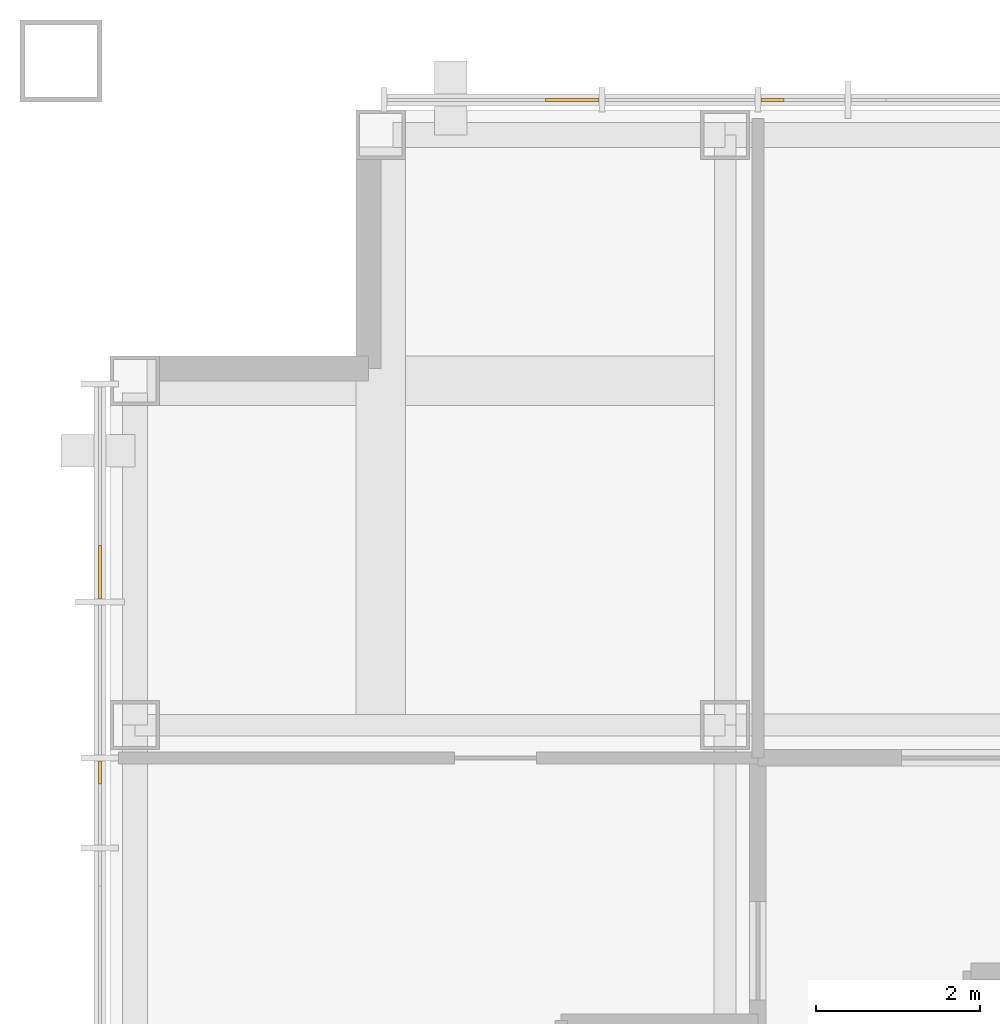
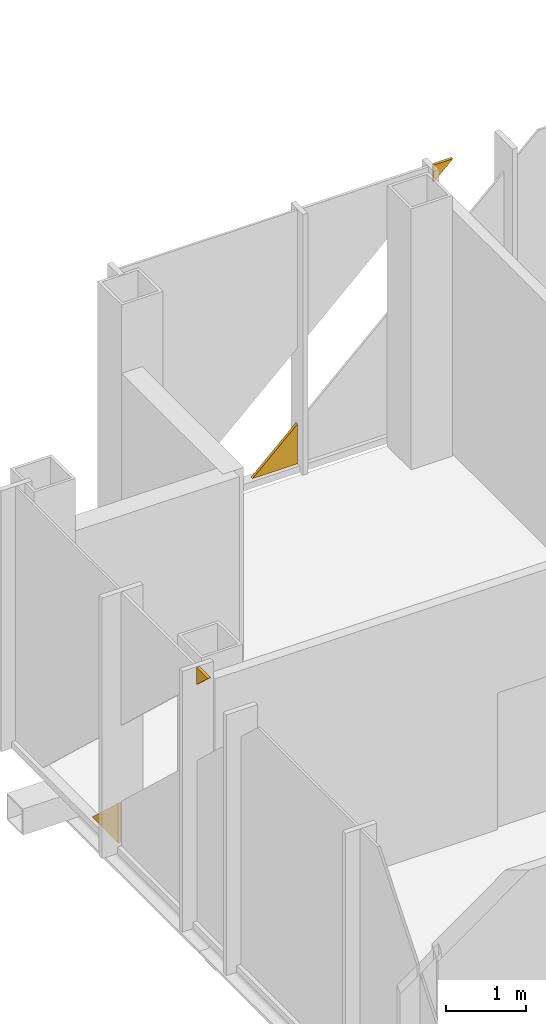
# One storey, part 15 of 16: 4 coverings.
"""IFC4 building model written with IfcOpenShell, lengths in metres."""

from ifc_helpers import new_model, si_unit, direction, frame, origin, place, context, subcontext, project, spatial, polyline, outline, extrude, material, layer, layer_set, type_object, element, save


model = new_model("IFC4")

# Units and contexts
model_context = context("Model", 3, precision=1e-05, world=origin(), true_north=direction((0.0, 1.0)))
body_context = subcontext(model_context, "Body", "Model", "MODEL_VIEW")
ifc_project = project(units=[si_unit("LENGTHUNIT", "METRE"), si_unit("AREAUNIT", "SQUARE_METRE"), si_unit("VOLUMEUNIT", "CUBIC_METRE"), si_unit("PLANEANGLEUNIT", "RADIAN"), si_unit("MASSUNIT", "GRAM", prefix="KILO")], contexts=[model_context])

# Site, building, storey
site_placement = place(None, origin())
site = spatial("IfcSite", under=ifc_project, at=site_placement, CompositionType="ELEMENT")
building_placement = place(site_placement, origin())
building = spatial("IfcBuilding", under=site, at=building_placement, Name="Malebo Sky Hospital", CompositionType="ELEMENT")
storey_placement = place(building_placement, frame((0.0, 0.0, 254.0)))
storey = spatial("IfcBuildingStorey", under=building, at=storey_placement, Name="L61", CompositionType="ELEMENT", Elevation=254.0)

# Coverings
ifc_material = material(Name="Anodised aluminium, natural silver insulated infill panel", Category="aluminium")
ifc_layer = layer(ifc_material, 0.0400390625)
ifc_layer_set = layer_set([ifc_layer], Name="BRACE INFILL PANEL 40")
covering_type = type_object("IfcCoveringType", Name="BRACE INFILL PANEL 40", PredefinedType="CLADDING", material=ifc_layer_set)
covering_1_placement = place(storey_placement, frame((44.6357421875, 83.125, 0.10009765625), z_axis=(0.0, 0.0, 1.0), x_axis=(1.0, 0.0, 0.0)))
element("IfcCovering", 1, at=covering_1_placement, inside=storey, type_object=covering_type, Name="Brace infill panel 1.1", PredefinedType="CLADDING", context=body_context, shape_type="SweptSolid", body=[
    extrude(outline(polyline([(-0.32666015625, 0.0), (0.32666015625, 0.0), (0.32666015625, 0.61181640625), (-0.32666015625, 0.0)])), frame((0.0, 0.02001953125, 0.0), z_axis=(0.0, -1.0, 0.0), x_axis=(1.0, 0.0, 0.0)), (0.0, 0.0, 1.0), 0.0400390625),
])
covering_2_placement = place(storey_placement, frame((47.077880859375, 83.125, 3.726806640625), z_axis=(0.0, 0.0, 1.0), x_axis=(1.0, 0.0, 0.0)))
element("IfcCovering", 2, at=covering_2_placement, inside=storey, type_object=covering_type, Name="Brace infill panel 3.1", PredefinedType="CLADDING", context=body_context, shape_type="SweptSolid", body=[
    extrude(outline(polyline([(-0.140380859375, 0.0), (0.140380859375, 0.26318359375), (-0.140380859375, 0.26318359375), (-0.140380859375, 0.0)])), frame((0.0, 0.02001953125, 0.0), z_axis=(0.0, -1.0, 0.0), x_axis=(1.0, 0.0, 0.0)), (0.0, 0.0, 1.0), 0.0400390625),
])
covering_3_placement = place(storey_placement, frame((38.875, 74.922119140625, 3.726806640625), z_axis=(0.0, 0.0, 1.0), x_axis=(0.0, 1.0, 0.0)))
element("IfcCovering", 3, at=covering_3_placement, inside=storey, type_object=covering_type, Name="Brace infill panel 14.1", PredefinedType="CLADDING", context=body_context, shape_type="SweptSolid", body=[
    extrude(outline(polyline([(0.140380859375, 0.0), (0.140380859375, 0.26318359375), (-0.140380859375, 0.26318359375), (0.140380859375, 0.0)])), frame((0.0, 0.02001953125, 0.0), z_axis=(0.0, -1.0, 0.0), x_axis=(1.0, 0.0, 0.0)), (0.0, 0.0, 1.0), 0.0400390625),
])
covering_4_placement = place(storey_placement, frame((38.875, 77.3642578125, 0.10009765625), z_axis=(0.0, 0.0, 1.0), x_axis=(0.0, 1.0, 0.0)))
element("IfcCovering", 4, at=covering_4_placement, inside=storey, type_object=covering_type, Name="Brace infill panel 16.1", PredefinedType="CLADDING", context=body_context, shape_type="SweptSolid", body=[
    extrude(outline(polyline([(-0.32666015625, 0.0), (0.32666015625, 0.0), (-0.32666015625, 0.61181640625), (-0.32666015625, 0.0)])), frame((0.0, 0.02001953125, 0.0), z_axis=(0.0, -1.0, 0.0), x_axis=(1.0, 0.0, 0.0)), (0.0, 0.0, 1.0), 0.0400390625),
])

save(model, "model.ifc")
